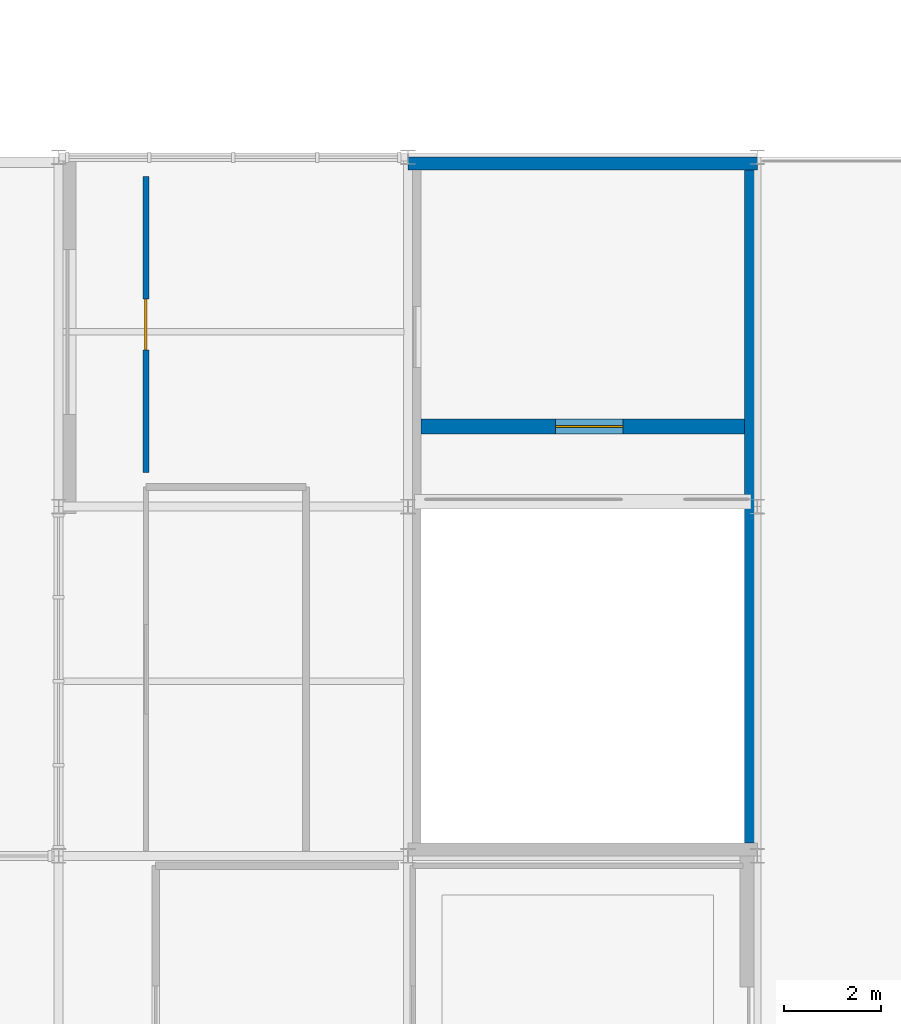
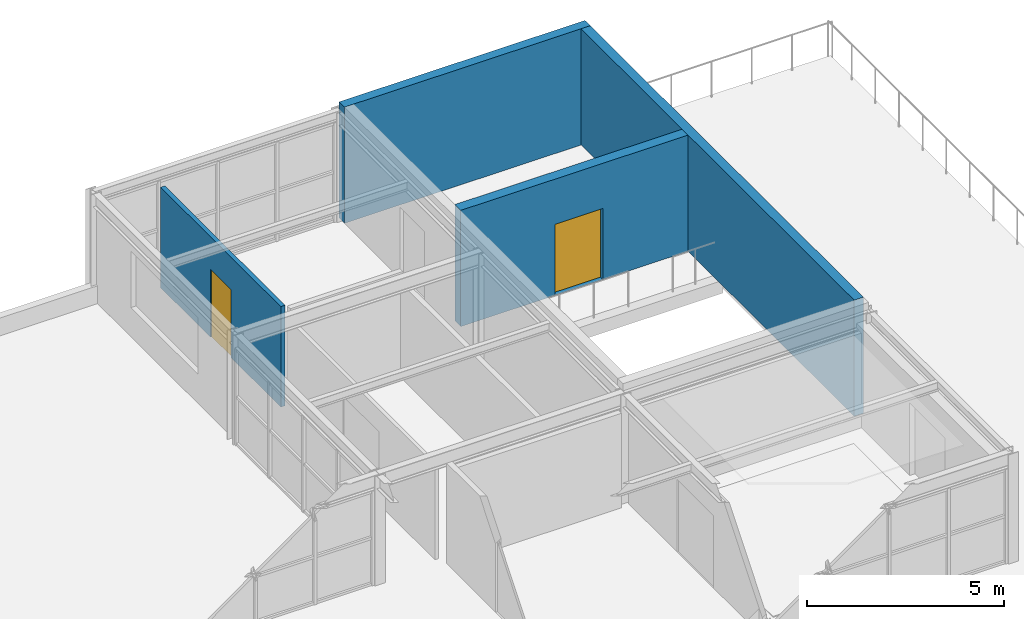
# One storey, part 18 of 22: 4 walls, 2 doors, 2 openings.
"""IFC4 building model written with IfcOpenShell, lengths in metres."""

from ifc_helpers import new_model, si_unit, direction, frame, frame_2d, origin, place, context, subcontext, project, spatial, rectangle, extrude, material, layer, layer_set, type_object, element, fill, save


model = new_model("IFC4")

# Units and contexts
model_context = context("Model", 3, precision=1e-05, world=origin(), true_north=direction((0.0, 1.0)))
body_context = subcontext(model_context, "Body", "Model", "MODEL_VIEW")
ifc_project = project(units=[si_unit("LENGTHUNIT", "METRE"), si_unit("AREAUNIT", "SQUARE_METRE"), si_unit("VOLUMEUNIT", "CUBIC_METRE"), si_unit("PLANEANGLEUNIT", "RADIAN"), si_unit("MASSUNIT", "GRAM", prefix="KILO")], contexts=[model_context])

# Site, building, storey
site_placement = place(None, origin())
site = spatial("IfcSite", under=ifc_project, at=site_placement, CompositionType="ELEMENT")
building_placement = place(site_placement, origin())
building = spatial("IfcBuilding", under=site, at=building_placement, Name="Leyfeld Transit Interchange", CompositionType="ELEMENT")
storey_placement = place(building_placement, frame((0.0, 0.0, 18.0)))
storey = spatial("IfcBuildingStorey", under=building, at=storey_placement, Name="L04", CompositionType="ELEMENT", Elevation=18.0)

# Wall, opening, door
ifc_material_1 = material(Name="Autoclaved aerated blockwork G4", Category="masonry")
ifc_layer_1 = layer(ifc_material_1, 0.125, Name="Autoclaved aerated blockwork G4")
ifc_layer_set_1 = layer_set([ifc_layer_1], Name="Autoclaved aerated blockwork G4")
wall_type_1 = type_object("IfcWallType", Name="WL-INT-WC-125", PredefinedType="PARTITIONING", material=ifc_layer_set_1)
wall_1_placement = place(storey_placement, frame((160.199951171875, 79.89990234375, 0.0), z_axis=(0.0, 0.0, 1.0), x_axis=(0.0, 1.0, 0.0)))
wall_1 = element("IfcWall", 1, at=wall_1_placement, inside=storey, type_object=wall_type_1, Name="Interior Partition L04-WCA-01 W", PredefinedType="PARTITIONING", context=body_context, shape_type="SweptSolid", body=[
    extrude(rectangle(XDim=6.10009765625, YDim=0.125, at=frame_2d((3.050048828125, 0.0))), origin(), (0.0, 0.0, 1.0), 3.110107421875),
])
opening_1_placement = place(wall_1_placement, frame((2.52490234375, 0.0, 0.0)))
opening_1 = element("IfcOpeningElement", 2, at=opening_1_placement, cuts=wall_1, Name="Opening DI-09", PredefinedType="OPENING", context=body_context, shape_type="SweptSolid", body=[
    extrude(rectangle(XDim=1.050048828125, YDim=2.10009765625, at=frame_2d((0.52490234375, 1.050048828125))), frame((0.0, 0.072509765625, 0.0), z_axis=(0.0, -1.0, 0.0), x_axis=(1.0, 0.0, 0.0)), (0.0, 0.0, 1.0), 0.14501953125),
])
ifc_material_2 = material(Name="Austrian larch glulam GL28h", Category="wood")
door_type_1 = type_object("IfcDoorType", Name="DR-WCA-1050x2100", OperationType="NOTDEFINED", PredefinedType="DOOR", material=ifc_material_2)
door_1_placement = place(opening_1_placement, origin())
door_1 = element("IfcDoor", 3, at=door_1_placement, inside=storey, type_object=door_type_1, Name="DR-L04-WCA-01", OperationType="SINGLE_SWING_RIGHT", OverallHeight=2.10009765625, OverallWidth=1.050048828125, PredefinedType="DOOR", context=body_context, shape_type="SweptSolid", body=[
    extrude(rectangle(XDim=1.050048828125, YDim=2.10009765625, at=frame_2d((0.52490234375, 1.050048828125))), frame((0.0, 0.02490234375, 0.0), z_axis=(0.0, -1.0, 0.0), x_axis=(1.0, 0.0, 0.0)), (0.0, 0.0, 1.0), 0.050048828125),
])
fill(opening_1, door_1)

ifc_material_3 = material(Name="Concrete C35/45", Category="concrete")
ifc_layer_2 = layer(ifc_material_3, 0.300048828125, Name="Concrete C35/45")
ifc_layer_set_2 = layer_set([ifc_layer_2], Name="Concrete C35/45")
wall_type_2 = type_object("IfcWallType", Name="WL-SH-300", PredefinedType="SHEAR", material=ifc_layer_set_2)
wall_2_placement = place(storey_placement, frame((165.8701171875, 80.85009765625, 0.0), z_axis=(0.0, 0.0, 1.0), x_axis=(1.0, 0.0, 0.0)))
wall_2 = element("IfcWall", 4, at=wall_2_placement, inside=storey, type_object=wall_type_2, Name="Core K5 Shear Wall STRN L04", PredefinedType="SHEAR", context=body_context, shape_type="SweptSolid", body=[
    extrude(rectangle(XDim=6.659912109375, YDim=0.300048828125, at=frame_2d((3.330078125, 0.0))), origin(), (0.0, 0.0, 1.0), 3.60009765625),
])
opening_2_placement = place(wall_2_placement, frame((2.764892578125, 0.0, 0.0)))
opening_2 = element("IfcOpeningElement", 5, at=opening_2_placement, cuts=wall_2, Name="Opening DI-01", PredefinedType="OPENING", context=body_context, shape_type="SweptSolid", body=[
    extrude(rectangle(XDim=1.39990234375, YDim=2.199951171875, at=frame_2d((0.699951171875, 1.10009765625))), frame((0.0, 0.159912109375, 0.0), z_axis=(0.0, -1.0, 0.0), x_axis=(1.0, 0.0, 0.0)), (0.0, 0.0, 1.0), 0.320068359375),
])
ifc_material_4 = material(Name="Galvanised steel S275JR", Category="steel")
door_type_2 = type_object("IfcDoorType", Name="DR-STR-1400x2200", OperationType="NOTDEFINED", PredefinedType="DOOR", material=ifc_material_4)
door_2_placement = place(opening_2_placement, origin())
door_2 = element("IfcDoor", 6, at=door_2_placement, inside=storey, type_object=door_type_2, Name="DR-STR-INT-K5-L04", OperationType="SINGLE_SWING_LEFT", OverallHeight=2.199951171875, OverallWidth=1.39990234375, PredefinedType="DOOR", context=body_context, shape_type="SweptSolid", body=[
    extrude(rectangle(XDim=1.39990234375, YDim=2.199951171875, at=frame_2d((0.699951171875, 1.10009765625))), frame((0.0, 0.02490234375, 0.0), z_axis=(0.0, -1.0, 0.0), x_axis=(1.0, 0.0, 0.0)), (0.0, 0.0, 1.0), 0.050048828125),
])
fill(opening_2, door_2)

# Walls
ifc_layer_3 = layer(ifc_material_3, 0.27001953125, Name="Concrete C35/45")
ifc_layer_set_3 = layer_set([ifc_layer_3], Name="Concrete C35/45")
wall_type_3 = type_object("IfcWallType", Name="WL-SH-VAR-270", PredefinedType="SHEAR", material=ifc_layer_set_3)
wall_3_placement = place(storey_placement, frame((165.60009765625, 86.264892578125, 0.0), z_axis=(0.0, 0.0, 1.0), x_axis=(1.0, 0.0, 0.0)))
element("IfcWall", 7, at=wall_3_placement, inside=storey, type_object=wall_type_3, Name="Core K5 Shear Wall N L04", PredefinedType="SHEAR", context=body_context, shape_type="SweptSolid", body=[
    extrude(rectangle(XDim=7.199951171875, YDim=0.27001953125, at=frame_2d((3.60009765625, 0.0))), origin(), (0.0, 0.0, 1.0), 3.60009765625),
])
wall_4_placement = place(storey_placement, frame((172.6650390625, 86.1298828125, 0.0), z_axis=(0.0, 0.0, 1.0), x_axis=(0.0, -1.0, 0.0)))
element("IfcWall", 8, at=wall_4_placement, inside=storey, type_object=wall_type_3, Name="Core K5 Shear Wall E L04", PredefinedType="SHEAR", context=body_context, shape_type="SweptSolid", body=[
    extrude(rectangle(XDim=13.85986328125, YDim=0.27001953125, at=frame_2d((6.929931640625, 0.0))), origin(), (0.0, 0.0, 1.0), 3.60009765625),
])

save(model, "model.ifc")
